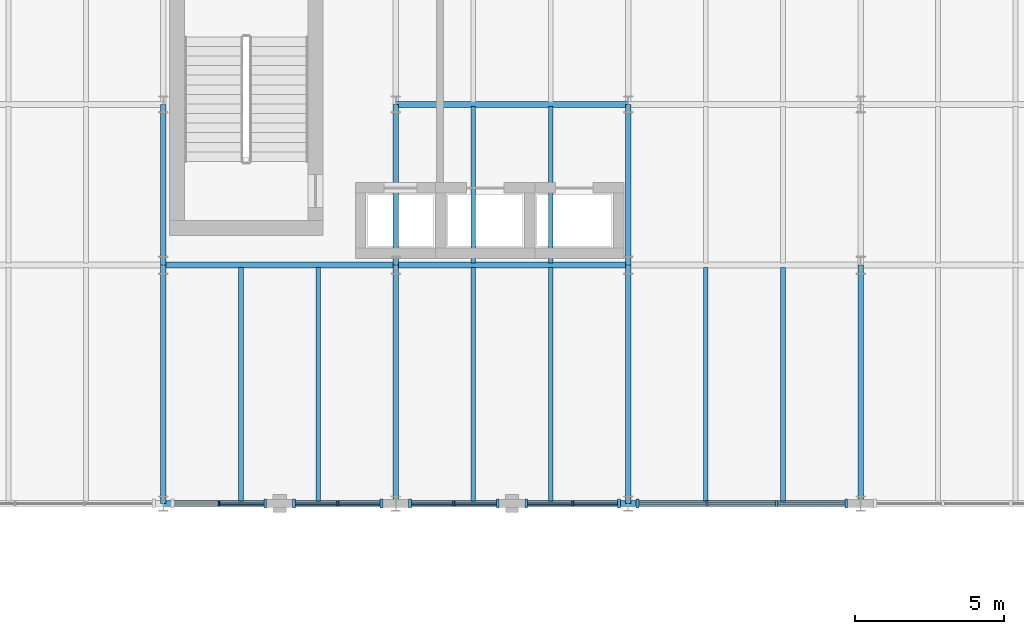
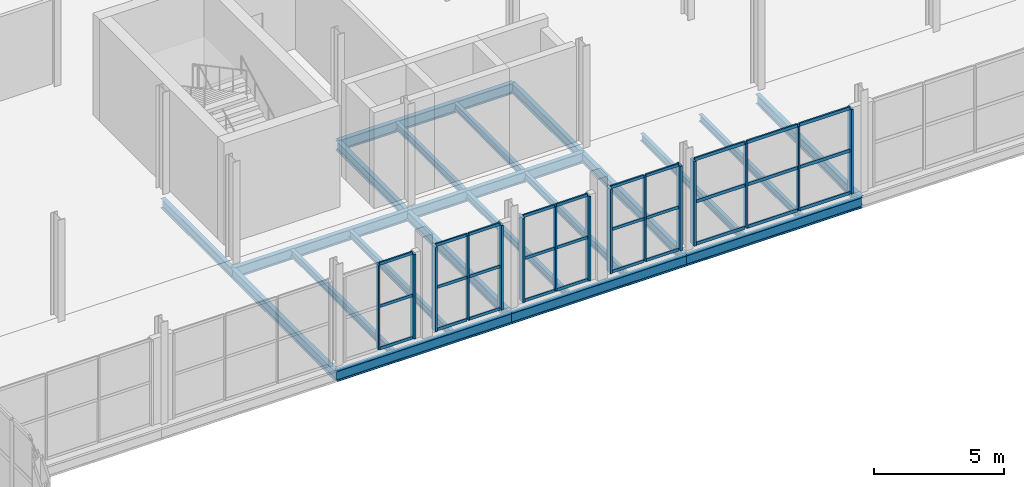
# One storey, part 29 of 63: 45 members, 21 beams, 5 elements without a shape of their own.
"""IFC4 building model written with IfcOpenShell, lengths in metres."""

from ifc_helpers import new_model, si_unit, direction, frame, origin, origin_2d, place, context, subcontext, project, spatial, rectangle, i_section, extrude, material, layer, layer_set, material_profile, profile_set, type_object, element, aggregate, save


model = new_model("IFC4")

# Units and contexts
model_context = context("Model", 3, precision=1e-05, world=origin(), true_north=direction((0.0, 1.0)))
body_context = subcontext(model_context, "Body", "Model", "MODEL_VIEW")
ifc_project = project(units=[si_unit("LENGTHUNIT", "METRE"), si_unit("AREAUNIT", "SQUARE_METRE"), si_unit("VOLUMEUNIT", "CUBIC_METRE"), si_unit("PLANEANGLEUNIT", "RADIAN"), si_unit("MASSUNIT", "GRAM", prefix="KILO")], contexts=[model_context])

# Site, building, storey
site_placement = place(None, origin())
site = spatial("IfcSite", under=ifc_project, at=site_placement, CompositionType="ELEMENT")
building_placement = place(site_placement, origin())
building = spatial("IfcBuilding", under=site, at=building_placement, Name="Sefraquen Railside Congress Hotel", CompositionType="ELEMENT")
storey_placement = place(building_placement, frame((0.0, 0.0, 11.39990234375)))
storey = spatial("IfcBuildingStorey", under=building, at=storey_placement, Name="L02", CompositionType="ELEMENT", Elevation=11.39990234375)

# Beams
ifc_material_1 = material(Name="Steel S355JR", Category="steel")
ifc_material_profile_1 = material_profile(ifc_material_1, i_section(OverallWidth=0.18994140625, OverallDepth=0.449951171875, WebThickness=0.009521484375, FlangeThickness=0.0146484375, FilletRadius=0.02099609375, at=origin_2d()), Name="IPE 450")
ifc_profile_set_1 = profile_set([ifc_material_profile_1], Name="Steel S355JR")
beam_type_1 = type_object("IfcBeamType", Name="TB-BM-450", PredefinedType="BEAM", material=ifc_profile_set_1)
beam_1_placement = place(storey_placement, frame((64.199951171875, 88.0, -0.574951171875), z_axis=(0.0, 1.0, 0.0), x_axis=(-1.0, 0.0, 0.0)))
element("IfcBeam", 1, at=beam_1_placement, inside=storey, type_object=beam_type_1, Name="Floor beam BM-L02-0894", PredefinedType="BEAM", context=body_context, shape_type="SweptSolid", body=[
    extrude(i_section(OverallWidth=0.18994140625, OverallDepth=0.449951171875, WebThickness=0.009521484375, FlangeThickness=0.0146484375, FilletRadius=0.02099609375, at=origin_2d()), origin(), (0.0, 0.0, 1.0), 8.0),
])
beam_2_placement = place(storey_placement, frame((64.199951171875, 96.0, -0.574951171875), z_axis=(0.0, 1.0, 0.0), x_axis=(-1.0, 0.0, 0.0)))
element("IfcBeam", 2, at=beam_2_placement, inside=storey, type_object=beam_type_1, Name="Floor beam BM-L02-0895", PredefinedType="BEAM", context=body_context, shape_type="SweptSolid", body=[
    extrude(i_section(OverallWidth=0.18994140625, OverallDepth=0.449951171875, WebThickness=0.009521484375, FlangeThickness=0.0146484375, FilletRadius=0.02099609375, at=origin_2d()), origin(), (0.0, 0.0, 1.0), 5.39990234375),
])
beam_3_placement = place(storey_placement, frame((72.0, 88.0, -0.574951171875), z_axis=(0.0, 1.0, 0.0), x_axis=(-1.0, 0.0, 0.0)))
element("IfcBeam", 3, at=beam_3_placement, inside=storey, type_object=beam_type_1, Name="Floor beam BM-L02-0898", PredefinedType="BEAM", context=body_context, shape_type="SweptSolid", body=[
    extrude(i_section(OverallWidth=0.18994140625, OverallDepth=0.449951171875, WebThickness=0.009521484375, FlangeThickness=0.0146484375, FilletRadius=0.02099609375, at=origin_2d()), origin(), (0.0, 0.0, 1.0), 8.0),
])
beam_4_placement = place(storey_placement, frame((72.0, 96.0, -0.574951171875), z_axis=(0.0, 1.0, 0.0), x_axis=(-1.0, 0.0, 0.0)))
element("IfcBeam", 4, at=beam_4_placement, inside=storey, type_object=beam_type_1, Name="Floor beam BM-L02-0899", PredefinedType="BEAM", context=body_context, shape_type="SweptSolid", body=[
    extrude(i_section(OverallWidth=0.18994140625, OverallDepth=0.449951171875, WebThickness=0.009521484375, FlangeThickness=0.0146484375, FilletRadius=0.02099609375, at=origin_2d()), origin(), (0.0, 0.0, 1.0), 5.39990234375),
])
beam_5_placement = place(storey_placement, frame((79.800048828125, 88.0, -0.574951171875), z_axis=(0.0, 1.0, 0.0), x_axis=(-1.0, 0.0, 0.0)))
element("IfcBeam", 5, at=beam_5_placement, inside=storey, type_object=beam_type_1, Name="Floor beam BM-L02-0903", PredefinedType="BEAM", context=body_context, shape_type="SweptSolid", body=[
    extrude(i_section(OverallWidth=0.18994140625, OverallDepth=0.449951171875, WebThickness=0.009521484375, FlangeThickness=0.0146484375, FilletRadius=0.02099609375, at=origin_2d()), origin(), (0.0, 0.0, 1.0), 8.0),
])
beam_6_placement = place(storey_placement, frame((79.800048828125, 96.0, -0.574951171875), z_axis=(0.0, 1.0, 0.0), x_axis=(-1.0, 0.0, 0.0)))
element("IfcBeam", 6, at=beam_6_placement, inside=storey, type_object=beam_type_1, Name="Floor beam BM-L02-0904", PredefinedType="BEAM", context=body_context, shape_type="SweptSolid", body=[
    extrude(i_section(OverallWidth=0.18994140625, OverallDepth=0.449951171875, WebThickness=0.009521484375, FlangeThickness=0.0146484375, FilletRadius=0.02099609375, at=origin_2d()), origin(), (0.0, 0.0, 1.0), 5.39990234375),
])
beam_7_placement = place(storey_placement, frame((87.60009765625, 88.0, -0.574951171875), z_axis=(0.0, 1.0, 0.0), x_axis=(-1.0, 0.0, 0.0)))
element("IfcBeam", 7, at=beam_7_placement, inside=storey, type_object=beam_type_1, Name="Floor beam BM-L02-0911", PredefinedType="BEAM", context=body_context, shape_type="SweptSolid", body=[
    extrude(i_section(OverallWidth=0.18994140625, OverallDepth=0.449951171875, WebThickness=0.009521484375, FlangeThickness=0.0146484375, FilletRadius=0.02099609375, at=origin_2d()), origin(), (0.0, 0.0, 1.0), 8.0),
])
ifc_material_profile_2 = material_profile(ifc_material_1, i_section(OverallWidth=0.199951171875, OverallDepth=0.5, WebThickness=0.01025390625, FlangeThickness=0.01611328125, FilletRadius=0.02099609375, at=origin_2d()), Name="IPE 500")
ifc_profile_set_2 = profile_set([ifc_material_profile_2], Name="Steel S355JR")
beam_type_2 = type_object("IfcBeamType", Name="TB-BM-500", PredefinedType="BEAM", material=ifc_profile_set_2)
for number, where, z_axis, x_axis, name in (
    (8, (64.199951171875, 88.0, -0.599853515625), (1.0, 0.0, 0.0), (0.0, 1.0, 0.0), "Primary girder BM-L02-0766"),
    (9, (72.0, 88.0, -0.599853515625), (1.0, 0.0, 0.0), (0.0, 1.0, 0.0), "Primary girder BM-L02-0767"),
    (10, (79.800048828125, 88.0, -0.599853515625), (1.0, 0.0, 0.0), (0.0, 1.0, 0.0), "Primary girder BM-L02-0768"),
    (11, (64.199951171875, 96.0, -0.599853515625), (1.0, 0.0, 0.0), (0.0, 1.0, 0.0), "Primary girder BM-L02-0782"),
    (12, (72.0, 96.0, -0.599853515625), (1.0, 0.0, 0.0), (0.0, 1.0, 0.0), "Primary girder BM-L02-0783"),
    (13, (72.0, 101.39990234375, -0.599853515625), (1.0, 0.0, 0.0), (0.0, 1.0, 0.0), "Primary girder BM-L02-0801"),
):
    element("IfcBeam", number, at=place(storey_placement, frame(where, z_axis=z_axis, x_axis=x_axis)), inside=storey, type_object=beam_type_2, Name=name, PredefinedType="BEAM", context=body_context, shape_type="SweptSolid", body=[
        extrude(i_section(OverallWidth=0.199951171875, OverallDepth=0.5, WebThickness=0.01025390625, FlangeThickness=0.01611328125, FilletRadius=0.02099609375, at=origin_2d()), origin(), (0.0, 0.0, 1.0), 7.800048828125),
    ])
ifc_material_profile_3 = material_profile(ifc_material_1, i_section(OverallWidth=0.159912109375, OverallDepth=0.330078125, WebThickness=0.007568359375, FlangeThickness=0.011474609375, FilletRadius=0.01806640625, at=origin_2d()), Name="IPE 330")
ifc_profile_set_3 = profile_set([ifc_material_profile_3], Name="Steel S355JR")
beam_type_3 = type_object("IfcBeamType", Name="TB-JST-330", PredefinedType="JOIST", material=ifc_profile_set_3)
for number, where, z_axis, x_axis, name in (
    (14, (66.800048828125, 88.080078125, -0.514892578125), (0.0, 1.0, 0.0), (-1.0, 0.0, 0.0), "Composite floor joist BM-L02-J0516"),
    (15, (69.39990234375, 88.080078125, -0.514892578125), (0.0, 1.0, 0.0), (-1.0, 0.0, 0.0), "Composite floor joist BM-L02-J0517"),
    (16, (74.60009765625, 88.080078125, -0.514892578125), (0.0, 1.0, 0.0), (-1.0, 0.0, 0.0), "Composite floor joist BM-L02-J0520"),
    (17, (77.199951171875, 88.080078125, -0.514892578125), (0.0, 1.0, 0.0), (-1.0, 0.0, 0.0), "Composite floor joist BM-L02-J0521"),
):
    element("IfcBeam", number, at=place(storey_placement, frame(where, z_axis=z_axis, x_axis=x_axis)), inside=storey, type_object=beam_type_3, Name=name, PredefinedType="JOIST", context=body_context, shape_type="SweptSolid", body=[
        extrude(i_section(OverallWidth=0.159912109375, OverallDepth=0.330078125, WebThickness=0.007568359375, FlangeThickness=0.011474609375, FilletRadius=0.01806640625, at=origin_2d()), origin(), (0.0, 0.0, 1.0), 7.83984375),
    ])
for number, where, z_axis, x_axis, name in (
    (18, (74.60009765625, 96.080078125, -0.514892578125), (0.0, 1.0, 0.0), (-1.0, 0.0, 0.0), "Composite floor joist BM-L02-J0522"),
    (19, (77.199951171875, 96.080078125, -0.514892578125), (0.0, 1.0, 0.0), (-1.0, 0.0, 0.0), "Composite floor joist BM-L02-J0523"),
):
    element("IfcBeam", number, at=place(storey_placement, frame(where, z_axis=z_axis, x_axis=x_axis)), inside=storey, type_object=beam_type_3, Name=name, PredefinedType="JOIST", context=body_context, shape_type="SweptSolid", body=[
        extrude(i_section(OverallWidth=0.159912109375, OverallDepth=0.330078125, WebThickness=0.007568359375, FlangeThickness=0.011474609375, FilletRadius=0.01806640625, at=origin_2d()), origin(), (0.0, 0.0, 1.0), 5.239990234375),
    ])
for number, where, z_axis, x_axis, name in (
    (20, (82.39990234375, 88.080078125, -0.514892578125), (0.0, 1.0, 0.0), (-1.0, 0.0, 0.0), "Composite floor joist BM-L02-J0530"),
    (21, (85.0, 88.080078125, -0.514892578125), (0.0, 1.0, 0.0), (-1.0, 0.0, 0.0), "Composite floor joist BM-L02-J0531"),
):
    element("IfcBeam", number, at=place(storey_placement, frame(where, z_axis=z_axis, x_axis=x_axis)), inside=storey, type_object=beam_type_3, Name=name, PredefinedType="JOIST", context=body_context, shape_type="SweptSolid", body=[
        extrude(i_section(OverallWidth=0.159912109375, OverallDepth=0.330078125, WebThickness=0.007568359375, FlangeThickness=0.011474609375, FilletRadius=0.01806640625, at=origin_2d()), origin(), (0.0, 0.0, 1.0), 7.83984375),
    ])

# Curtain wall, member
ifc_material_2 = material(Name="Thermally broken anodised aluminium and low-E double glazing", Category="aluminium")
ifc_layer_1 = layer(ifc_material_2, 0.199951171875)
ifc_layer_set_1 = layer_set([ifc_layer_1], Name="Thermally broken anodised aluminium and low-E double glazing")
curtain_wall_type_1 = type_object("IfcCurtainWallType", Name="TCW-UCW-26", PredefinedType="USERDEFINED", material=ifc_layer_set_1)
curtain_wall_1_placement = place(storey_placement, origin())
curtain_wall_1 = element("IfcCurtainWall", 22, at=curtain_wall_1_placement, inside=storey, type_object=curtain_wall_type_1, Name="Courtyard north gallery curtain wall L02-2", ObjectType="UNITISED CURTAIN WALL", PredefinedType="USERDEFINED")
ifc_material_3 = material(Name="Thermally broken anodised aluminium 6063-T6", Category="aluminium")
ifc_material_profile_4 = material_profile(ifc_material_3, rectangle(XDim=0.06494140625, YDim=0.179931640625, at=origin_2d()), Name="CWM 65x180")
ifc_profile_set_4 = profile_set([ifc_material_profile_4], Name="Thermally broken anodised aluminium 6063-T6")
member_type_1 = type_object("IfcMemberType", Name="TM-CWM-02", PredefinedType="MULLION", material=ifc_profile_set_4)
member_1_placement = place(storey_placement, frame((66.06494140625, 88.0, 0.0), z_axis=(0.0, 0.0, 1.0), x_axis=(1.0, 0.0, 0.0)))
member_1 = element("IfcMember", 23, at=member_1_placement, type_object=member_type_1, Name="CW-L02-058 mullion 2", PredefinedType="MULLION", context=body_context, shape_type="SweptSolid", body=[
    extrude(rectangle(XDim=0.06494140625, YDim=0.179931640625, at=origin_2d()), origin(), (0.0, 0.0, 1.0), 3.989990234375),
])

curtain_wall_2_placement = place(storey_placement, origin())
curtain_wall_2 = element("IfcCurtainWall", 24, at=curtain_wall_2_placement, inside=storey, type_object=curtain_wall_type_1, Name="Courtyard north gallery curtain wall L02-2 bay 2", ObjectType="UNITISED CURTAIN WALL", PredefinedType="USERDEFINED")
member_2_placement = place(storey_placement, frame((70.050048828125, 88.0, 0.0), z_axis=(0.0, 0.0, 1.0), x_axis=(1.0, 0.0, 0.0)))
member_2 = element("IfcMember", 25, at=member_2_placement, type_object=member_type_1, Name="CW-L02-058-S2 mullion 2", PredefinedType="MULLION", context=body_context, shape_type="SweptSolid", body=[
    extrude(rectangle(XDim=0.06494140625, YDim=0.179931640625, at=origin_2d()), origin(), (0.0, 0.0, 1.0), 3.989990234375),
])

curtain_wall_3_placement = place(storey_placement, origin())
curtain_wall_3 = element("IfcCurtainWall", 26, at=curtain_wall_3_placement, inside=storey, type_object=curtain_wall_type_1, Name="Courtyard north gallery curtain wall L02-2 bay 3", ObjectType="UNITISED CURTAIN WALL", PredefinedType="USERDEFINED")
member_3_placement = place(storey_placement, frame((73.949951171875, 88.0, 0.0), z_axis=(0.0, 0.0, 1.0), x_axis=(1.0, 0.0, 0.0)))
member_3 = element("IfcMember", 27, at=member_3_placement, type_object=member_type_1, Name="CW-L02-058-S3 mullion 2", PredefinedType="MULLION", context=body_context, shape_type="SweptSolid", body=[
    extrude(rectangle(XDim=0.06494140625, YDim=0.179931640625, at=origin_2d()), origin(), (0.0, 0.0, 1.0), 3.989990234375),
])

curtain_wall_4_placement = place(storey_placement, origin())
curtain_wall_4 = element("IfcCurtainWall", 28, at=curtain_wall_4_placement, inside=storey, type_object=curtain_wall_type_1, Name="Courtyard north gallery curtain wall L02-2 bay 4", ObjectType="UNITISED CURTAIN WALL", PredefinedType="USERDEFINED")
member_4_placement = place(storey_placement, frame((77.93505859375, 88.0, 0.0), z_axis=(0.0, 0.0, 1.0), x_axis=(1.0, 0.0, 0.0)))
member_4 = element("IfcMember", 29, at=member_4_placement, type_object=member_type_1, Name="CW-L02-058-S4 mullion 2", PredefinedType="MULLION", context=body_context, shape_type="SweptSolid", body=[
    extrude(rectangle(XDim=0.06494140625, YDim=0.179931640625, at=origin_2d()), origin(), (0.0, 0.0, 1.0), 3.989990234375),
])

# Curtain wall, members
ifc_layer_2 = layer(ifc_material_2, 0.199951171875)
ifc_layer_set_2 = layer_set([ifc_layer_2], Name="Thermally broken anodised aluminium and low-E double glazing")
curtain_wall_type_2 = type_object("IfcCurtainWallType", Name="TCW-UCW-27", PredefinedType="USERDEFINED", material=ifc_layer_set_2)
curtain_wall_5_placement = place(storey_placement, origin())
curtain_wall_5 = element("IfcCurtainWall", 30, at=curtain_wall_5_placement, inside=storey, type_object=curtain_wall_type_2, Name="Courtyard north gallery curtain wall L02-3", ObjectType="UNITISED CURTAIN WALL", PredefinedType="USERDEFINED")
ifc_material_profile_5 = material_profile(ifc_material_3, rectangle(XDim=0.070068359375, YDim=0.199951171875, at=origin_2d()), Name="CWM 70x200")
ifc_profile_set_5 = profile_set([ifc_material_profile_5], Name="Thermally broken anodised aluminium 6063-T6")
member_type_2 = type_object("IfcMemberType", Name="TM-CWM-03", PredefinedType="MULLION", material=ifc_profile_set_5)
member_5_placement = place(storey_placement, frame((82.44677734375, 88.0, 0.0), z_axis=(0.0, 0.0, 1.0), x_axis=(1.0, 0.0, 0.0)))
member_5 = element("IfcMember", 31, at=member_5_placement, type_object=member_type_2, Name="CW-L02-059 mullion 2", PredefinedType="MULLION", context=body_context, shape_type="SweptSolid", body=[
    extrude(rectangle(XDim=0.070068359375, YDim=0.199951171875, at=origin_2d()), origin(), (0.0, 0.0, 1.0), 3.989990234375),
])
member_6_placement = place(storey_placement, frame((84.783203125, 88.0, 0.0), z_axis=(0.0, 0.0, 1.0), x_axis=(1.0, 0.0, 0.0)))
member_6 = element("IfcMember", 32, at=member_6_placement, type_object=member_type_2, Name="CW-L02-059 mullion 3", PredefinedType="MULLION", context=body_context, shape_type="SweptSolid", body=[
    extrude(rectangle(XDim=0.070068359375, YDim=0.199951171875, at=origin_2d()), origin(), (0.0, 0.0, 1.0), 3.989990234375),
])

# Member
ifc_material_profile_6 = material_profile(ifc_material_3, rectangle(XDim=0.094970703125, YDim=0.300048828125, at=origin_2d()), Name="CWM 95x300")
ifc_profile_set_6 = profile_set([ifc_material_profile_6], Name="Thermally broken anodised aluminium 6063-T6")
member_type_3 = type_object("IfcMemberType", Name="TM-CWM-08", PredefinedType="MULLION", material=ifc_profile_set_6)
member_7_placement = place(storey_placement, frame((67.6201171875, 88.0, 0.0), z_axis=(0.0, 0.0, 1.0), x_axis=(1.0, 0.0, 0.0)))
member_7 = element("IfcMember", 33, at=member_7_placement, type_object=member_type_3, Name="CW-L02-058 mullion 3", PredefinedType="MULLION", context=body_context, shape_type="SweptSolid", body=[
    extrude(rectangle(XDim=0.094970703125, YDim=0.300048828125, at=origin_2d()), origin(), (0.0, 0.0, 1.0), 3.989990234375),
])

member_8_placement = place(storey_placement, frame((68.580078125, 88.0, 0.0), z_axis=(0.0, 0.0, 1.0), x_axis=(1.0, 0.0, 0.0)))
member_8 = element("IfcMember", 34, at=member_8_placement, type_object=member_type_3, Name="CW-L02-058-S2 mullion 1", PredefinedType="MULLION", context=body_context, shape_type="SweptSolid", body=[
    extrude(rectangle(XDim=0.094970703125, YDim=0.300048828125, at=origin_2d()), origin(), (0.0, 0.0, 1.0), 3.989990234375),
])

member_9_placement = place(storey_placement, frame((71.52001953125, 88.0, 0.0), z_axis=(0.0, 0.0, 1.0), x_axis=(1.0, 0.0, 0.0)))
member_9 = element("IfcMember", 35, at=member_9_placement, type_object=member_type_3, Name="CW-L02-058-S2 mullion 3", PredefinedType="MULLION", context=body_context, shape_type="SweptSolid", body=[
    extrude(rectangle(XDim=0.094970703125, YDim=0.300048828125, at=origin_2d()), origin(), (0.0, 0.0, 1.0), 3.989990234375),
])

member_10_placement = place(storey_placement, frame((72.47998046875, 88.0, 0.0), z_axis=(0.0, 0.0, 1.0), x_axis=(1.0, 0.0, 0.0)))
member_10 = element("IfcMember", 36, at=member_10_placement, type_object=member_type_3, Name="CW-L02-058-S3 mullion 1", PredefinedType="MULLION", context=body_context, shape_type="SweptSolid", body=[
    extrude(rectangle(XDim=0.094970703125, YDim=0.300048828125, at=origin_2d()), origin(), (0.0, 0.0, 1.0), 3.989990234375),
])

member_11_placement = place(storey_placement, frame((75.419921875, 88.0, 0.0), z_axis=(0.0, 0.0, 1.0), x_axis=(1.0, 0.0, 0.0)))
member_11 = element("IfcMember", 37, at=member_11_placement, type_object=member_type_3, Name="CW-L02-058-S3 mullion 3", PredefinedType="MULLION", context=body_context, shape_type="SweptSolid", body=[
    extrude(rectangle(XDim=0.094970703125, YDim=0.300048828125, at=origin_2d()), origin(), (0.0, 0.0, 1.0), 3.989990234375),
])

member_12_placement = place(storey_placement, frame((76.3798828125, 88.0, 0.0), z_axis=(0.0, 0.0, 1.0), x_axis=(1.0, 0.0, 0.0)))
member_12 = element("IfcMember", 38, at=member_12_placement, type_object=member_type_3, Name="CW-L02-058-S4 mullion 1", PredefinedType="MULLION", context=body_context, shape_type="SweptSolid", body=[
    extrude(rectangle(XDim=0.094970703125, YDim=0.300048828125, at=origin_2d()), origin(), (0.0, 0.0, 1.0), 3.989990234375),
])

member_13_placement = place(storey_placement, frame((79.489990234375, 88.0, 0.0), z_axis=(0.0, 0.0, 1.0), x_axis=(1.0, 0.0, 0.0)))
member_13 = element("IfcMember", 39, at=member_13_placement, type_object=member_type_3, Name="CW-L02-058-S4 mullion 3", PredefinedType="MULLION", context=body_context, shape_type="SweptSolid", body=[
    extrude(rectangle(XDim=0.094970703125, YDim=0.300048828125, at=origin_2d()), origin(), (0.0, 0.0, 1.0), 3.989990234375),
])

member_14_placement = place(storey_placement, frame((80.110107421875, 88.0, 0.0), z_axis=(0.0, 0.0, 1.0), x_axis=(1.0, 0.0, 0.0)))
member_14 = element("IfcMember", 40, at=member_14_placement, type_object=member_type_3, Name="CW-L02-059 mullion 1", PredefinedType="MULLION", context=body_context, shape_type="SweptSolid", body=[
    extrude(rectangle(XDim=0.094970703125, YDim=0.300048828125, at=origin_2d()), origin(), (0.0, 0.0, 1.0), 3.989990234375),
])

member_15_placement = place(storey_placement, frame((87.1201171875, 88.0, 0.0), z_axis=(0.0, 0.0, 1.0), x_axis=(1.0, 0.0, 0.0)))
member_15 = element("IfcMember", 41, at=member_15_placement, type_object=member_type_3, Name="CW-L02-059 mullion 4", PredefinedType="MULLION", context=body_context, shape_type="SweptSolid", body=[
    extrude(rectangle(XDim=0.094970703125, YDim=0.300048828125, at=origin_2d()), origin(), (0.0, 0.0, 1.0), 3.989990234375),
])

ifc_material_profile_7 = material_profile(ifc_material_3, rectangle(XDim=0.06494140625, YDim=0.135009765625, at=origin_2d()), Name="CWT 65x135")
ifc_profile_set_7 = profile_set([ifc_material_profile_7], Name="Thermally broken anodised aluminium 6063-T6")
member_type_4 = type_object("IfcMemberType", Name="TM-CWT-02", PredefinedType="USERDEFINED", material=ifc_profile_set_7)
member_16_placement = place(storey_placement, frame((66.110107421875, 88.0, 0.0), z_axis=(1.0, 0.0, 0.0), x_axis=(0.0, 1.0, 0.0)))
member_16 = element("IfcMember", 42, at=member_16_placement, type_object=member_type_4, Name="CW-L02-058 transom 1.2", ObjectType="TRANSOM", PredefinedType="USERDEFINED", context=body_context, shape_type="SweptSolid", body=[
    extrude(rectangle(XDim=0.06494140625, YDim=0.135009765625, at=origin_2d()), origin(), (0.0, 0.0, 1.0), 1.46484375),
])

member_17_placement = place(storey_placement, frame((66.110107421875, 88.0, 1.9951171875), z_axis=(1.0, 0.0, 0.0), x_axis=(0.0, 1.0, 0.0)))
member_17 = element("IfcMember", 43, at=member_17_placement, type_object=member_type_4, Name="CW-L02-058 transom 2.2", ObjectType="TRANSOM", PredefinedType="USERDEFINED", context=body_context, shape_type="SweptSolid", body=[
    extrude(rectangle(XDim=0.06494140625, YDim=0.135009765625, at=origin_2d()), origin(), (0.0, 0.0, 1.0), 1.46484375),
])

member_18_placement = place(storey_placement, frame((66.110107421875, 88.0, 3.989990234375), z_axis=(1.0, 0.0, 0.0), x_axis=(0.0, 1.0, 0.0)))
member_18 = element("IfcMember", 44, at=member_18_placement, type_object=member_type_4, Name="CW-L02-058 transom 3.2", ObjectType="TRANSOM", PredefinedType="USERDEFINED", context=body_context, shape_type="SweptSolid", body=[
    extrude(rectangle(XDim=0.06494140625, YDim=0.135009765625, at=origin_2d()), origin(), (0.0, 0.0, 1.0), 1.46484375),
])

aggregate(curtain_wall_1, [member_1, member_7, member_16, member_17, member_18])

member_19_placement = place(storey_placement, frame((68.625, 88.0, 0.0), z_axis=(1.0, 0.0, 0.0), x_axis=(0.0, 1.0, 0.0)))
member_19 = element("IfcMember", 45, at=member_19_placement, type_object=member_type_4, Name="CW-L02-058-S2 transom 1.1", ObjectType="TRANSOM", PredefinedType="USERDEFINED", context=body_context, shape_type="SweptSolid", body=[
    extrude(rectangle(XDim=0.06494140625, YDim=0.135009765625, at=origin_2d()), origin(), (0.0, 0.0, 1.0), 1.3798828125),
])

member_20_placement = place(storey_placement, frame((70.094970703125, 88.0, 0.0), z_axis=(1.0, 0.0, 0.0), x_axis=(0.0, 1.0, 0.0)))
member_20 = element("IfcMember", 46, at=member_20_placement, type_object=member_type_4, Name="CW-L02-058-S2 transom 1.2", ObjectType="TRANSOM", PredefinedType="USERDEFINED", context=body_context, shape_type="SweptSolid", body=[
    extrude(rectangle(XDim=0.06494140625, YDim=0.135009765625, at=origin_2d()), origin(), (0.0, 0.0, 1.0), 1.380126953125),
])

member_21_placement = place(storey_placement, frame((68.625, 88.0, 1.9951171875), z_axis=(1.0, 0.0, 0.0), x_axis=(0.0, 1.0, 0.0)))
member_21 = element("IfcMember", 47, at=member_21_placement, type_object=member_type_4, Name="CW-L02-058-S2 transom 2.1", ObjectType="TRANSOM", PredefinedType="USERDEFINED", context=body_context, shape_type="SweptSolid", body=[
    extrude(rectangle(XDim=0.06494140625, YDim=0.135009765625, at=origin_2d()), origin(), (0.0, 0.0, 1.0), 1.3798828125),
])

member_22_placement = place(storey_placement, frame((70.094970703125, 88.0, 1.9951171875), z_axis=(1.0, 0.0, 0.0), x_axis=(0.0, 1.0, 0.0)))
member_22 = element("IfcMember", 48, at=member_22_placement, type_object=member_type_4, Name="CW-L02-058-S2 transom 2.2", ObjectType="TRANSOM", PredefinedType="USERDEFINED", context=body_context, shape_type="SweptSolid", body=[
    extrude(rectangle(XDim=0.06494140625, YDim=0.135009765625, at=origin_2d()), origin(), (0.0, 0.0, 1.0), 1.380126953125),
])

member_23_placement = place(storey_placement, frame((68.625, 88.0, 3.989990234375), z_axis=(1.0, 0.0, 0.0), x_axis=(0.0, 1.0, 0.0)))
member_23 = element("IfcMember", 49, at=member_23_placement, type_object=member_type_4, Name="CW-L02-058-S2 transom 3.1", ObjectType="TRANSOM", PredefinedType="USERDEFINED", context=body_context, shape_type="SweptSolid", body=[
    extrude(rectangle(XDim=0.06494140625, YDim=0.135009765625, at=origin_2d()), origin(), (0.0, 0.0, 1.0), 1.3798828125),
])

member_24_placement = place(storey_placement, frame((70.094970703125, 88.0, 3.989990234375), z_axis=(1.0, 0.0, 0.0), x_axis=(0.0, 1.0, 0.0)))
member_24 = element("IfcMember", 50, at=member_24_placement, type_object=member_type_4, Name="CW-L02-058-S2 transom 3.2", ObjectType="TRANSOM", PredefinedType="USERDEFINED", context=body_context, shape_type="SweptSolid", body=[
    extrude(rectangle(XDim=0.06494140625, YDim=0.135009765625, at=origin_2d()), origin(), (0.0, 0.0, 1.0), 1.380126953125),
])

aggregate(curtain_wall_2, [member_8, member_2, member_9, member_19, member_20, member_21, member_22, member_23, member_24])

member_25_placement = place(storey_placement, frame((72.52490234375, 88.0, 0.0), z_axis=(1.0, 0.0, 0.0), x_axis=(0.0, 1.0, 0.0)))
member_25 = element("IfcMember", 51, at=member_25_placement, type_object=member_type_4, Name="CW-L02-058-S3 transom 1.1", ObjectType="TRANSOM", PredefinedType="USERDEFINED", context=body_context, shape_type="SweptSolid", body=[
    extrude(rectangle(XDim=0.06494140625, YDim=0.135009765625, at=origin_2d()), origin(), (0.0, 0.0, 1.0), 1.380126953125),
])

member_26_placement = place(storey_placement, frame((73.9951171875, 88.0, 0.0), z_axis=(1.0, 0.0, 0.0), x_axis=(0.0, 1.0, 0.0)))
member_26 = element("IfcMember", 52, at=member_26_placement, type_object=member_type_4, Name="CW-L02-058-S3 transom 1.2", ObjectType="TRANSOM", PredefinedType="USERDEFINED", context=body_context, shape_type="SweptSolid", body=[
    extrude(rectangle(XDim=0.06494140625, YDim=0.135009765625, at=origin_2d()), origin(), (0.0, 0.0, 1.0), 1.3798828125),
])

member_27_placement = place(storey_placement, frame((72.52490234375, 88.0, 1.9951171875), z_axis=(1.0, 0.0, 0.0), x_axis=(0.0, 1.0, 0.0)))
member_27 = element("IfcMember", 53, at=member_27_placement, type_object=member_type_4, Name="CW-L02-058-S3 transom 2.1", ObjectType="TRANSOM", PredefinedType="USERDEFINED", context=body_context, shape_type="SweptSolid", body=[
    extrude(rectangle(XDim=0.06494140625, YDim=0.135009765625, at=origin_2d()), origin(), (0.0, 0.0, 1.0), 1.380126953125),
])

member_28_placement = place(storey_placement, frame((73.9951171875, 88.0, 1.9951171875), z_axis=(1.0, 0.0, 0.0), x_axis=(0.0, 1.0, 0.0)))
member_28 = element("IfcMember", 54, at=member_28_placement, type_object=member_type_4, Name="CW-L02-058-S3 transom 2.2", ObjectType="TRANSOM", PredefinedType="USERDEFINED", context=body_context, shape_type="SweptSolid", body=[
    extrude(rectangle(XDim=0.06494140625, YDim=0.135009765625, at=origin_2d()), origin(), (0.0, 0.0, 1.0), 1.3798828125),
])

member_29_placement = place(storey_placement, frame((72.52490234375, 88.0, 3.989990234375), z_axis=(1.0, 0.0, 0.0), x_axis=(0.0, 1.0, 0.0)))
member_29 = element("IfcMember", 55, at=member_29_placement, type_object=member_type_4, Name="CW-L02-058-S3 transom 3.1", ObjectType="TRANSOM", PredefinedType="USERDEFINED", context=body_context, shape_type="SweptSolid", body=[
    extrude(rectangle(XDim=0.06494140625, YDim=0.135009765625, at=origin_2d()), origin(), (0.0, 0.0, 1.0), 1.380126953125),
])

member_30_placement = place(storey_placement, frame((73.9951171875, 88.0, 3.989990234375), z_axis=(1.0, 0.0, 0.0), x_axis=(0.0, 1.0, 0.0)))
member_30 = element("IfcMember", 56, at=member_30_placement, type_object=member_type_4, Name="CW-L02-058-S3 transom 3.2", ObjectType="TRANSOM", PredefinedType="USERDEFINED", context=body_context, shape_type="SweptSolid", body=[
    extrude(rectangle(XDim=0.06494140625, YDim=0.135009765625, at=origin_2d()), origin(), (0.0, 0.0, 1.0), 1.3798828125),
])

aggregate(curtain_wall_3, [member_10, member_3, member_11, member_25, member_26, member_27, member_28, member_29, member_30])

member_31_placement = place(storey_placement, frame((76.425048828125, 88.0, 0.0), z_axis=(1.0, 0.0, 0.0), x_axis=(0.0, 1.0, 0.0)))
member_31 = element("IfcMember", 57, at=member_31_placement, type_object=member_type_4, Name="CW-L02-058-S4 transom 1.1", ObjectType="TRANSOM", PredefinedType="USERDEFINED", context=body_context, shape_type="SweptSolid", body=[
    extrude(rectangle(XDim=0.06494140625, YDim=0.135009765625, at=origin_2d()), origin(), (0.0, 0.0, 1.0), 1.46484375),
])

member_32_placement = place(storey_placement, frame((77.97998046875, 88.0, 0.0), z_axis=(1.0, 0.0, 0.0), x_axis=(0.0, 1.0, 0.0)))
member_32 = element("IfcMember", 58, at=member_32_placement, type_object=member_type_4, Name="CW-L02-058-S4 transom 1.2", ObjectType="TRANSOM", PredefinedType="USERDEFINED", context=body_context, shape_type="SweptSolid", body=[
    extrude(rectangle(XDim=0.06494140625, YDim=0.135009765625, at=origin_2d()), origin(), (0.0, 0.0, 1.0), 1.465087890625),
])

member_33_placement = place(storey_placement, frame((76.425048828125, 88.0, 1.9951171875), z_axis=(1.0, 0.0, 0.0), x_axis=(0.0, 1.0, 0.0)))
member_33 = element("IfcMember", 59, at=member_33_placement, type_object=member_type_4, Name="CW-L02-058-S4 transom 2.1", ObjectType="TRANSOM", PredefinedType="USERDEFINED", context=body_context, shape_type="SweptSolid", body=[
    extrude(rectangle(XDim=0.06494140625, YDim=0.135009765625, at=origin_2d()), origin(), (0.0, 0.0, 1.0), 1.46484375),
])

member_34_placement = place(storey_placement, frame((77.97998046875, 88.0, 1.9951171875), z_axis=(1.0, 0.0, 0.0), x_axis=(0.0, 1.0, 0.0)))
member_34 = element("IfcMember", 60, at=member_34_placement, type_object=member_type_4, Name="CW-L02-058-S4 transom 2.2", ObjectType="TRANSOM", PredefinedType="USERDEFINED", context=body_context, shape_type="SweptSolid", body=[
    extrude(rectangle(XDim=0.06494140625, YDim=0.135009765625, at=origin_2d()), origin(), (0.0, 0.0, 1.0), 1.465087890625),
])

member_35_placement = place(storey_placement, frame((76.425048828125, 88.0, 3.989990234375), z_axis=(1.0, 0.0, 0.0), x_axis=(0.0, 1.0, 0.0)))
member_35 = element("IfcMember", 61, at=member_35_placement, type_object=member_type_4, Name="CW-L02-058-S4 transom 3.1", ObjectType="TRANSOM", PredefinedType="USERDEFINED", context=body_context, shape_type="SweptSolid", body=[
    extrude(rectangle(XDim=0.06494140625, YDim=0.135009765625, at=origin_2d()), origin(), (0.0, 0.0, 1.0), 1.46484375),
])

member_36_placement = place(storey_placement, frame((77.97998046875, 88.0, 3.989990234375), z_axis=(1.0, 0.0, 0.0), x_axis=(0.0, 1.0, 0.0)))
member_36 = element("IfcMember", 62, at=member_36_placement, type_object=member_type_4, Name="CW-L02-058-S4 transom 3.2", ObjectType="TRANSOM", PredefinedType="USERDEFINED", context=body_context, shape_type="SweptSolid", body=[
    extrude(rectangle(XDim=0.06494140625, YDim=0.135009765625, at=origin_2d()), origin(), (0.0, 0.0, 1.0), 1.465087890625),
])

aggregate(curtain_wall_4, [member_12, member_4, member_13, member_31, member_32, member_33, member_34, member_35, member_36])

ifc_material_profile_8 = material_profile(ifc_material_3, rectangle(XDim=0.070068359375, YDim=0.14990234375, at=origin_2d()), Name="CWT 70x150")
ifc_profile_set_8 = profile_set([ifc_material_profile_8], Name="Thermally broken anodised aluminium 6063-T6")
member_type_5 = type_object("IfcMemberType", Name="TM-CWT-03", PredefinedType="USERDEFINED", material=ifc_profile_set_8)
member_37_placement = place(storey_placement, frame((80.155029296875, 88.0, 0.0), z_axis=(1.0, 0.0, 0.0), x_axis=(0.0, 1.0, 0.0)))
member_37 = element("IfcMember", 63, at=member_37_placement, type_object=member_type_5, Name="CW-L02-059 transom 1.1", ObjectType="TRANSOM", PredefinedType="USERDEFINED", context=body_context, shape_type="SweptSolid", body=[
    extrude(rectangle(XDim=0.070068359375, YDim=0.14990234375, at=origin_2d()), origin(), (0.0, 0.0, 1.0), 2.24658203125),
])

member_38_placement = place(storey_placement, frame((82.49169921875, 88.0, 0.0), z_axis=(1.0, 0.0, 0.0), x_axis=(0.0, 1.0, 0.0)))
member_38 = element("IfcMember", 64, at=member_38_placement, type_object=member_type_5, Name="CW-L02-059 transom 1.2", ObjectType="TRANSOM", PredefinedType="USERDEFINED", context=body_context, shape_type="SweptSolid", body=[
    extrude(rectangle(XDim=0.070068359375, YDim=0.14990234375, at=origin_2d()), origin(), (0.0, 0.0, 1.0), 2.24658203125),
])

member_39_placement = place(storey_placement, frame((84.828369140625, 88.0, 0.0), z_axis=(1.0, 0.0, 0.0), x_axis=(0.0, 1.0, 0.0)))
member_39 = element("IfcMember", 65, at=member_39_placement, type_object=member_type_5, Name="CW-L02-059 transom 1.3", ObjectType="TRANSOM", PredefinedType="USERDEFINED", context=body_context, shape_type="SweptSolid", body=[
    extrude(rectangle(XDim=0.070068359375, YDim=0.14990234375, at=origin_2d()), origin(), (0.0, 0.0, 1.0), 2.24658203125),
])

member_40_placement = place(storey_placement, frame((80.155029296875, 88.0, 1.9951171875), z_axis=(1.0, 0.0, 0.0), x_axis=(0.0, 1.0, 0.0)))
member_40 = element("IfcMember", 66, at=member_40_placement, type_object=member_type_5, Name="CW-L02-059 transom 2.1", ObjectType="TRANSOM", PredefinedType="USERDEFINED", context=body_context, shape_type="SweptSolid", body=[
    extrude(rectangle(XDim=0.070068359375, YDim=0.14990234375, at=origin_2d()), origin(), (0.0, 0.0, 1.0), 2.24658203125),
])

member_41_placement = place(storey_placement, frame((82.49169921875, 88.0, 1.9951171875), z_axis=(1.0, 0.0, 0.0), x_axis=(0.0, 1.0, 0.0)))
member_41 = element("IfcMember", 67, at=member_41_placement, type_object=member_type_5, Name="CW-L02-059 transom 2.2", ObjectType="TRANSOM", PredefinedType="USERDEFINED", context=body_context, shape_type="SweptSolid", body=[
    extrude(rectangle(XDim=0.070068359375, YDim=0.14990234375, at=origin_2d()), origin(), (0.0, 0.0, 1.0), 2.24658203125),
])

member_42_placement = place(storey_placement, frame((84.828369140625, 88.0, 1.9951171875), z_axis=(1.0, 0.0, 0.0), x_axis=(0.0, 1.0, 0.0)))
member_42 = element("IfcMember", 68, at=member_42_placement, type_object=member_type_5, Name="CW-L02-059 transom 2.3", ObjectType="TRANSOM", PredefinedType="USERDEFINED", context=body_context, shape_type="SweptSolid", body=[
    extrude(rectangle(XDim=0.070068359375, YDim=0.14990234375, at=origin_2d()), origin(), (0.0, 0.0, 1.0), 2.24658203125),
])

member_43_placement = place(storey_placement, frame((80.155029296875, 88.0, 3.989990234375), z_axis=(1.0, 0.0, 0.0), x_axis=(0.0, 1.0, 0.0)))
member_43 = element("IfcMember", 69, at=member_43_placement, type_object=member_type_5, Name="CW-L02-059 transom 3.1", ObjectType="TRANSOM", PredefinedType="USERDEFINED", context=body_context, shape_type="SweptSolid", body=[
    extrude(rectangle(XDim=0.070068359375, YDim=0.14990234375, at=origin_2d()), origin(), (0.0, 0.0, 1.0), 2.24658203125),
])

member_44_placement = place(storey_placement, frame((82.49169921875, 88.0, 3.989990234375), z_axis=(1.0, 0.0, 0.0), x_axis=(0.0, 1.0, 0.0)))
member_44 = element("IfcMember", 70, at=member_44_placement, type_object=member_type_5, Name="CW-L02-059 transom 3.2", ObjectType="TRANSOM", PredefinedType="USERDEFINED", context=body_context, shape_type="SweptSolid", body=[
    extrude(rectangle(XDim=0.070068359375, YDim=0.14990234375, at=origin_2d()), origin(), (0.0, 0.0, 1.0), 2.24658203125),
])

member_45_placement = place(storey_placement, frame((84.828369140625, 88.0, 3.989990234375), z_axis=(1.0, 0.0, 0.0), x_axis=(0.0, 1.0, 0.0)))
member_45 = element("IfcMember", 71, at=member_45_placement, type_object=member_type_5, Name="CW-L02-059 transom 3.3", ObjectType="TRANSOM", PredefinedType="USERDEFINED", context=body_context, shape_type="SweptSolid", body=[
    extrude(rectangle(XDim=0.070068359375, YDim=0.14990234375, at=origin_2d()), origin(), (0.0, 0.0, 1.0), 2.24658203125),
])

aggregate(curtain_wall_5, [member_14, member_5, member_6, member_15, member_37, member_38, member_39, member_40, member_41, member_42, member_43, member_44, member_45])

save(model, "model.ifc")
